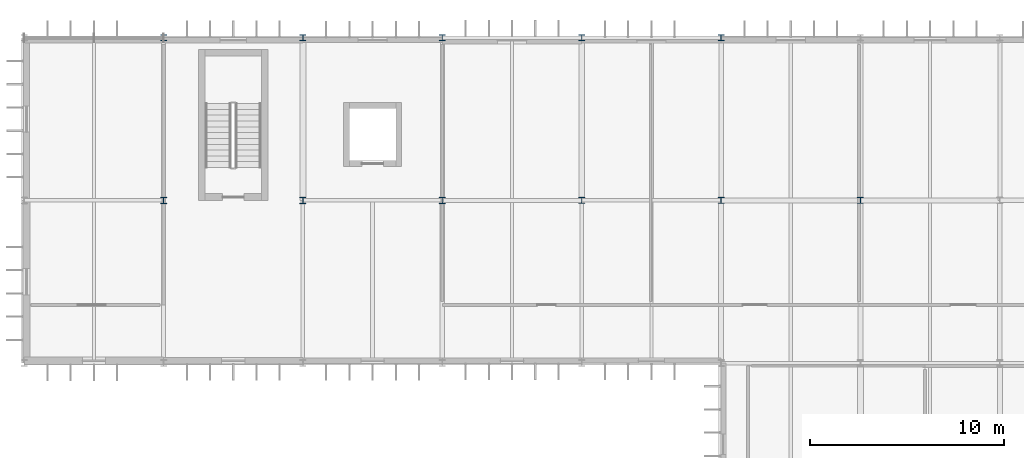
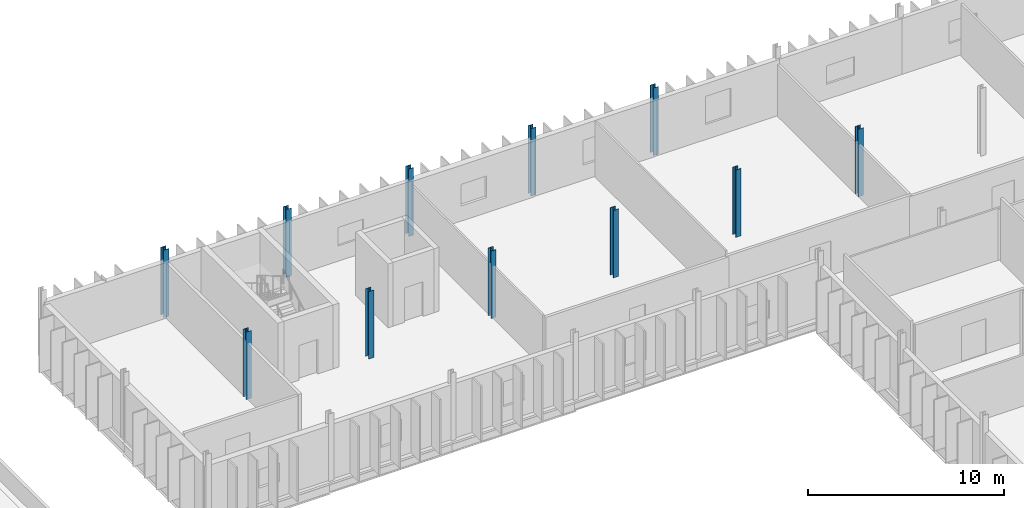
# One storey, part 13 of 99: 11 columns.
"""IFC4 building model written with IfcOpenShell, lengths in metres."""

from ifc_helpers import new_model, si_unit, direction, frame, origin, origin_2d, place, context, subcontext, project, spatial, i_section, extrude, material, material_profile, profile_set, type_object, element, save


model = new_model("IFC4")

# Units and contexts
model_context = context("Model", 3, precision=1e-05, world=origin(), true_north=direction((0.0, 1.0)))
body_context = subcontext(model_context, "Body", "Model", "MODEL_VIEW")
ifc_project = project(units=[si_unit("LENGTHUNIT", "METRE"), si_unit("AREAUNIT", "SQUARE_METRE"), si_unit("VOLUMEUNIT", "CUBIC_METRE"), si_unit("PLANEANGLEUNIT", "RADIAN"), si_unit("MASSUNIT", "GRAM", prefix="KILO")], contexts=[model_context])

# Site, building, storey
site_placement = place(None, origin())
site = spatial("IfcSite", under=ifc_project, at=site_placement, CompositionType="ELEMENT")
building_placement = place(site_placement, origin())
building = spatial("IfcBuilding", under=site, at=building_placement, Name="Qelthora Terrace Specialist Clinic", CompositionType="ELEMENT")
storey_placement = place(building_placement, frame((0.0, 0.0, 9.0)))
storey = spatial("IfcBuildingStorey", under=building, at=storey_placement, Name="L02", CompositionType="ELEMENT", Elevation=9.0)

# Columns
ifc_material = material(Name="Steel S355", Category="steel")
ifc_material_profile_1 = material_profile(ifc_material, i_section(OverallWidth=0.30810546875, OverallDepth=0.318115234375, WebThickness=0.01318359375, FlangeThickness=0.0205078125, FilletRadius=0.01611328125, at=origin_2d()), Name="W310X129")
ifc_profile_set_1 = profile_set([ifc_material_profile_1], Name="Steel S355")
column_type_1 = type_object("IfcColumnType", Name="COL-W310X129", PredefinedType="COLUMN", material=ifc_profile_set_1)
for number, where, z_axis, x_axis, name in (
    (1, (64.800048828125, 109.199951171875, 0.0), (0.0, 0.0, 1.0), (1.0, 0.0, 0.0), "Column L02-121"),
    (2, (72.0, 109.199951171875, 0.0), (0.0, 0.0, 1.0), (1.0, 0.0, 0.0), "Column L02-129"),
    (3, (79.199951171875, 109.199951171875, 0.0), (0.0, 0.0, 1.0), (1.0, 0.0, 0.0), "Column L02-137"),
    (4, (86.39990234375, 100.800048828125, 0.0), (0.0, 0.0, 1.0), (1.0, 0.0, 0.0), "Column L02-145"),
    (5, (93.60009765625, 100.800048828125, 0.0), (0.0, 0.0, 1.0), (1.0, 0.0, 0.0), "Column L02-159"),
    (6, (100.800048828125, 100.800048828125, 0.0), (0.0, 0.0, 1.0), (1.0, 0.0, 0.0), "Column L02-173"),
):
    element("IfcColumn", number, at=place(storey_placement, frame(where, z_axis=z_axis, x_axis=x_axis)), inside=storey, type_object=column_type_1, Name=name, PredefinedType="COLUMN", context=body_context, shape_type="SweptSolid", body=[
        extrude(i_section(OverallWidth=0.30810546875, OverallDepth=0.318115234375, WebThickness=0.01318359375, FlangeThickness=0.0205078125, FilletRadius=0.01611328125, at=origin_2d()), origin(), (0.0, 0.0, 1.0), 4.199951171875),
    ])
ifc_material_profile_2 = material_profile(ifc_material, i_section(OverallWidth=0.30908203125, OverallDepth=0.322998046875, WebThickness=0.013916015625, FlangeThickness=0.02294921875, FilletRadius=0.01611328125, at=origin_2d()), Name="W310X143")
ifc_profile_set_2 = profile_set([ifc_material_profile_2], Name="Steel S355")
column_type_2 = type_object("IfcColumnType", Name="COL-W310X143", PredefinedType="COLUMN", material=ifc_profile_set_2)
for number, where, z_axis, x_axis, name in (
    (7, (64.800048828125, 100.800048828125, 0.0), (0.0, 0.0, 1.0), (1.0, 0.0, 0.0), "Column L02-120"),
    (8, (72.0, 100.800048828125, 0.0), (0.0, 0.0, 1.0), (1.0, 0.0, 0.0), "Column L02-128"),
    (9, (79.199951171875, 100.800048828125, 0.0), (0.0, 0.0, 1.0), (1.0, 0.0, 0.0), "Column L02-136"),
    (10, (86.39990234375, 109.199951171875, 0.0), (0.0, 0.0, 1.0), (1.0, 0.0, 0.0), "Column L02-146"),
    (11, (93.60009765625, 109.199951171875, 0.0), (0.0, 0.0, 1.0), (1.0, 0.0, 0.0), "Column L02-160"),
):
    element("IfcColumn", number, at=place(storey_placement, frame(where, z_axis=z_axis, x_axis=x_axis)), inside=storey, type_object=column_type_2, Name=name, PredefinedType="COLUMN", context=body_context, shape_type="SweptSolid", body=[
        extrude(i_section(OverallWidth=0.30908203125, OverallDepth=0.322998046875, WebThickness=0.013916015625, FlangeThickness=0.02294921875, FilletRadius=0.01611328125, at=origin_2d()), origin(), (0.0, 0.0, 1.0), 4.199951171875),
    ])

save(model, "model.ifc")
